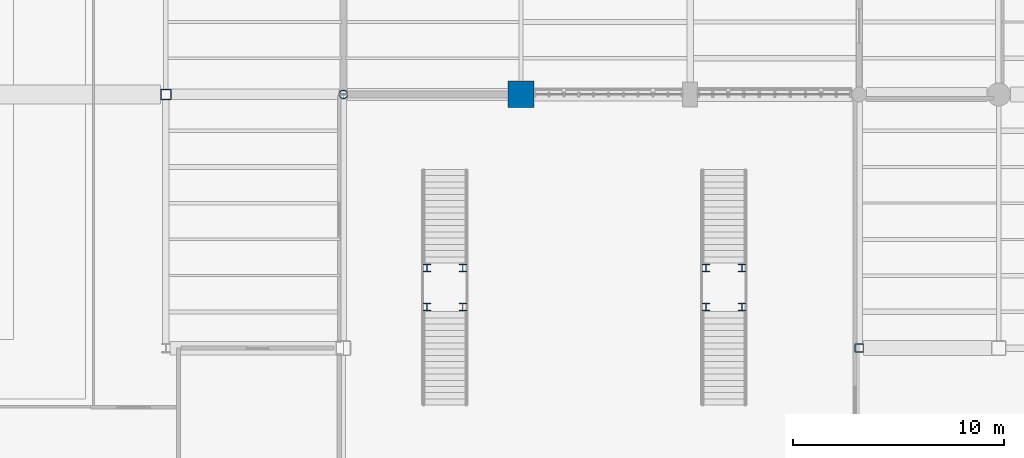
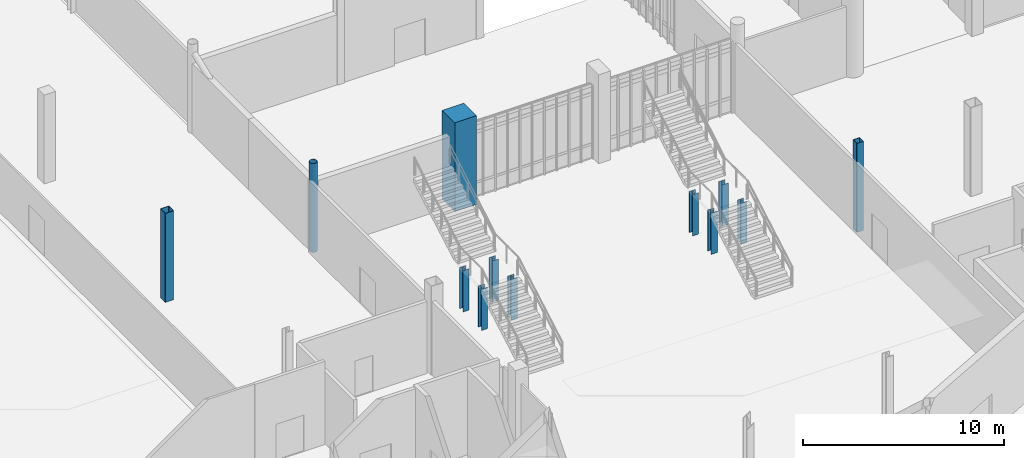
# One storey, part 6 of 111: 12 columns.
"""IFC4 building model written with IfcOpenShell, lengths in metres."""

from ifc_helpers import new_model, si_unit, direction, frame, origin, origin_2d, place, context, subcontext, project, spatial, rectangle, hollow_rectangle, hollow_circle, i_section, extrude, material, material_profile, profile_set, type_object, element, save


model = new_model("IFC4")

# Units and contexts
model_context = context("Model", 3, precision=1e-05, world=origin(), true_north=direction((0.0, 1.0)))
body_context = subcontext(model_context, "Body", "Model", "MODEL_VIEW")
ifc_project = project(units=[si_unit("LENGTHUNIT", "METRE"), si_unit("AREAUNIT", "SQUARE_METRE"), si_unit("VOLUMEUNIT", "CUBIC_METRE"), si_unit("PLANEANGLEUNIT", "RADIAN"), si_unit("MASSUNIT", "GRAM", prefix="KILO")], contexts=[model_context])

# Site, building, storey
site_placement = place(None, origin())
site = spatial("IfcSite", under=ifc_project, at=site_placement, CompositionType="ELEMENT")
building_placement = place(site_placement, origin())
building = spatial("IfcBuilding", under=site, at=building_placement, Name="Larkvane Passage Sports Hall", CompositionType="ELEMENT")
storey_placement = place(building_placement, origin())
storey = spatial("IfcBuildingStorey", under=building, at=storey_placement, Name="L00", CompositionType="ELEMENT", Elevation=0.0)

# Columns
ifc_material_1 = material(Name="Concrete C50/60", Category="concrete")
ifc_material_profile_1 = material_profile(ifc_material_1, rectangle(XDim=1.25, YDim=1.25, at=origin_2d()), Name="RC-COL-1250x1250")
ifc_profile_set_1 = profile_set([ifc_material_profile_1], Name="Concrete C50/60")
column_type_1 = type_object("IfcColumnType", Name="COL-RC-1250", PredefinedType="COLUMN", material=ifc_profile_set_1)
column_1_placement = place(storey_placement, frame((102.0, 51.60009765625, 0.0), z_axis=(0.0, 0.0, 1.0), x_axis=(1.0, 0.0, 0.0)))
element("IfcColumn", 1, at=column_1_placement, inside=storey, type_object=column_type_1, Name="Column 14/G L00", PredefinedType="COLUMN", context=body_context, shape_type="SweptSolid", body=[
    extrude(rectangle(XDim=1.25, YDim=1.25, at=origin_2d()), origin(), (0.0, 0.0, 1.0), 5.39990234375),
])
ifc_material_2 = material(Name="Steel S355JR", Category="steel")
ifc_material_profile_2 = material_profile(ifc_material_2, hollow_circle(Radius=0.203125, WallThickness=0.01611328125, at=origin_2d()), Name="CHS-406.4x16.0")
ifc_profile_set_2 = profile_set([ifc_material_profile_2], Name="Steel S355JR")
column_type_2 = type_object("IfcColumnType", Name="COL-STL-CHS406", PredefinedType="COLUMN", material=ifc_profile_set_2)
column_2_placement = place(storey_placement, frame((93.60009765625, 51.60009765625, 0.0), z_axis=(0.0, 0.0, 1.0), x_axis=(1.0, 0.0, 0.0)))
element("IfcColumn", 2, at=column_2_placement, inside=storey, type_object=column_type_2, Name="Column 13/G L00", PredefinedType="COLUMN", context=body_context, shape_type="SweptSolid", body=[
    extrude(hollow_circle(Radius=0.203125, WallThickness=0.01611328125, at=origin_2d()), origin(), (0.0, 0.0, 1.0), 5.39990234375),
])
ifc_material_profile_3 = material_profile(ifc_material_2, i_section(OverallWidth=0.35009765625, OverallDepth=0.35009765625, WebThickness=0.011962890625, FlangeThickness=0.01904296875, FilletRadius=0.012939453125, at=origin_2d()), Name="H-350x350x12x19")
ifc_profile_set_3 = profile_set([ifc_material_profile_3], Name="Steel S355JR")
column_type_3 = type_object("IfcColumnType", Name="COL-STL-H350", PredefinedType="COLUMN", material=ifc_profile_set_3)
for number, where, z_axis, x_axis, name in (
    (3, (97.550048828125, 41.550048828125, 0.0), (0.0, 0.0, 1.0), (1.0, 0.0, 0.0), "Feature stair ST-F1 landing post SW"),
    (4, (99.25, 41.550048828125, 0.0), (0.0, 0.0, 1.0), (1.0, 0.0, 0.0), "Feature stair ST-F1 landing post SE"),
    (5, (97.550048828125, 43.39990234375, 0.0), (0.0, 0.0, 1.0), (1.0, 0.0, 0.0), "Feature stair ST-F1 landing post NW"),
    (6, (99.25, 43.39990234375, 0.0), (0.0, 0.0, 1.0), (1.0, 0.0, 0.0), "Feature stair ST-F1 landing post NE"),
    (7, (110.75, 41.550048828125, 0.0), (0.0, 0.0, 1.0), (1.0, 0.0, 0.0), "Feature stair ST-F2 landing post SW"),
    (8, (112.449951171875, 41.550048828125, 0.0), (0.0, 0.0, 1.0), (1.0, 0.0, 0.0), "Feature stair ST-F2 landing post SE"),
    (9, (110.75, 43.39990234375, 0.0), (0.0, 0.0, 1.0), (1.0, 0.0, 0.0), "Feature stair ST-F2 landing post NW"),
    (10, (112.449951171875, 43.39990234375, 0.0), (0.0, 0.0, 1.0), (1.0, 0.0, 0.0), "Feature stair ST-F2 landing post NE"),
):
    element("IfcColumn", number, at=place(storey_placement, frame(where, z_axis=z_axis, x_axis=x_axis)), inside=storey, type_object=column_type_3, Name=name, PredefinedType="COLUMN", context=body_context, shape_type="SweptSolid", body=[
        extrude(i_section(OverallWidth=0.35009765625, OverallDepth=0.35009765625, WebThickness=0.011962890625, FlangeThickness=0.01904296875, FilletRadius=0.012939453125, at=origin_2d()), origin(), (0.0, 0.0, 1.0), 2.5),
    ])
ifc_material_3 = material(Name="Steel S460N", Category="steel")
ifc_material_profile_4 = material_profile(ifc_material_3, hollow_rectangle(XDim=0.39990234375, YDim=0.39990234375, WallThickness=0.01904296875, InnerFilletRadius=0.01904296875, OuterFilletRadius=0.0380859375, at=origin_2d()), Name="SHS-400x400x19")
ifc_profile_set_4 = profile_set([ifc_material_profile_4], Name="Steel S460N")
column_type_4 = type_object("IfcColumnType", Name="COL-STL-SHS400", PredefinedType="COLUMN", material=ifc_profile_set_4)
column_3_placement = place(storey_placement, frame((118.0, 39.60009765625, 0.0), z_axis=(0.0, 0.0, 1.0), x_axis=(1.0, 0.0, 0.0)))
element("IfcColumn", 11, at=column_3_placement, inside=storey, type_object=column_type_4, Name="Column 16/F L00", PredefinedType="COLUMN", context=body_context, shape_type="SweptSolid", body=[
    extrude(hollow_rectangle(XDim=0.39990234375, YDim=0.39990234375, WallThickness=0.01904296875, InnerFilletRadius=0.01904296875, OuterFilletRadius=0.0380859375, at=origin_2d()), origin(), (0.0, 0.0, 1.0), 5.39990234375),
])
ifc_material_profile_5 = material_profile(ifc_material_3, hollow_rectangle(XDim=0.5, YDim=0.5, WallThickness=0.02197265625, InnerFilletRadius=0.02197265625, OuterFilletRadius=0.0439453125, at=origin_2d()), Name="SHS-500x500x22")
ifc_profile_set_5 = profile_set([ifc_material_profile_5], Name="Steel S460N")
column_type_5 = type_object("IfcColumnType", Name="COL-STL-SHS500", PredefinedType="COLUMN", material=ifc_profile_set_5)
column_4_placement = place(storey_placement, frame((85.199951171875, 51.60009765625, 0.0), z_axis=(0.0, 0.0, 1.0), x_axis=(1.0, 0.0, 0.0)))
element("IfcColumn", 12, at=column_4_placement, inside=storey, type_object=column_type_5, Name="Column 12/G L00", PredefinedType="COLUMN", context=body_context, shape_type="SweptSolid", body=[
    extrude(hollow_rectangle(XDim=0.5, YDim=0.5, WallThickness=0.02197265625, InnerFilletRadius=0.02197265625, OuterFilletRadius=0.0439453125, at=origin_2d()), origin(), (0.0, 0.0, 1.0), 5.39990234375),
])

save(model, "model.ifc")
